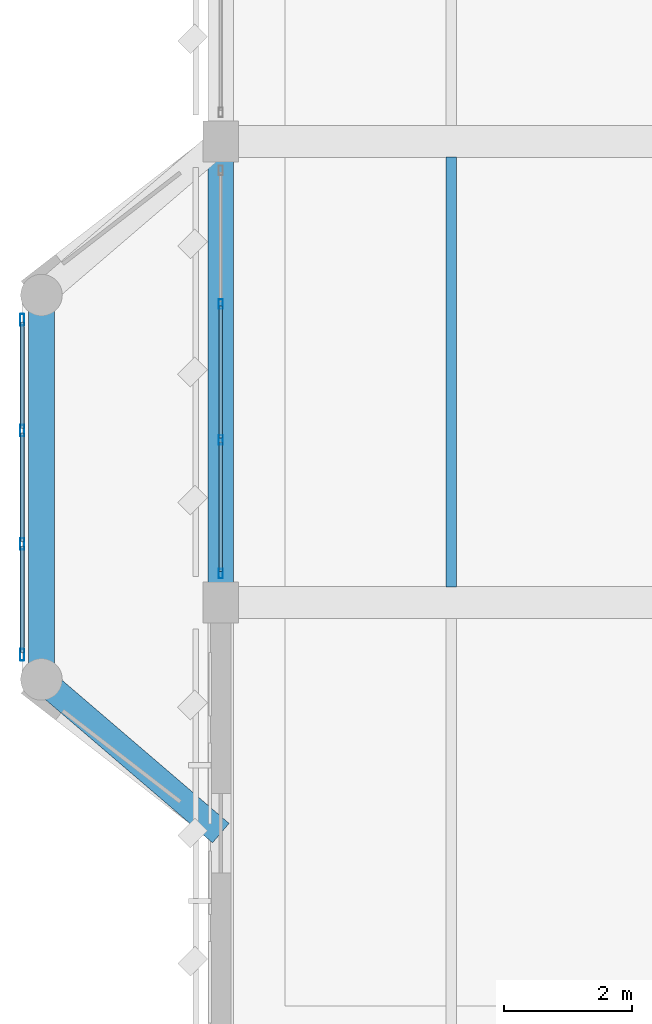
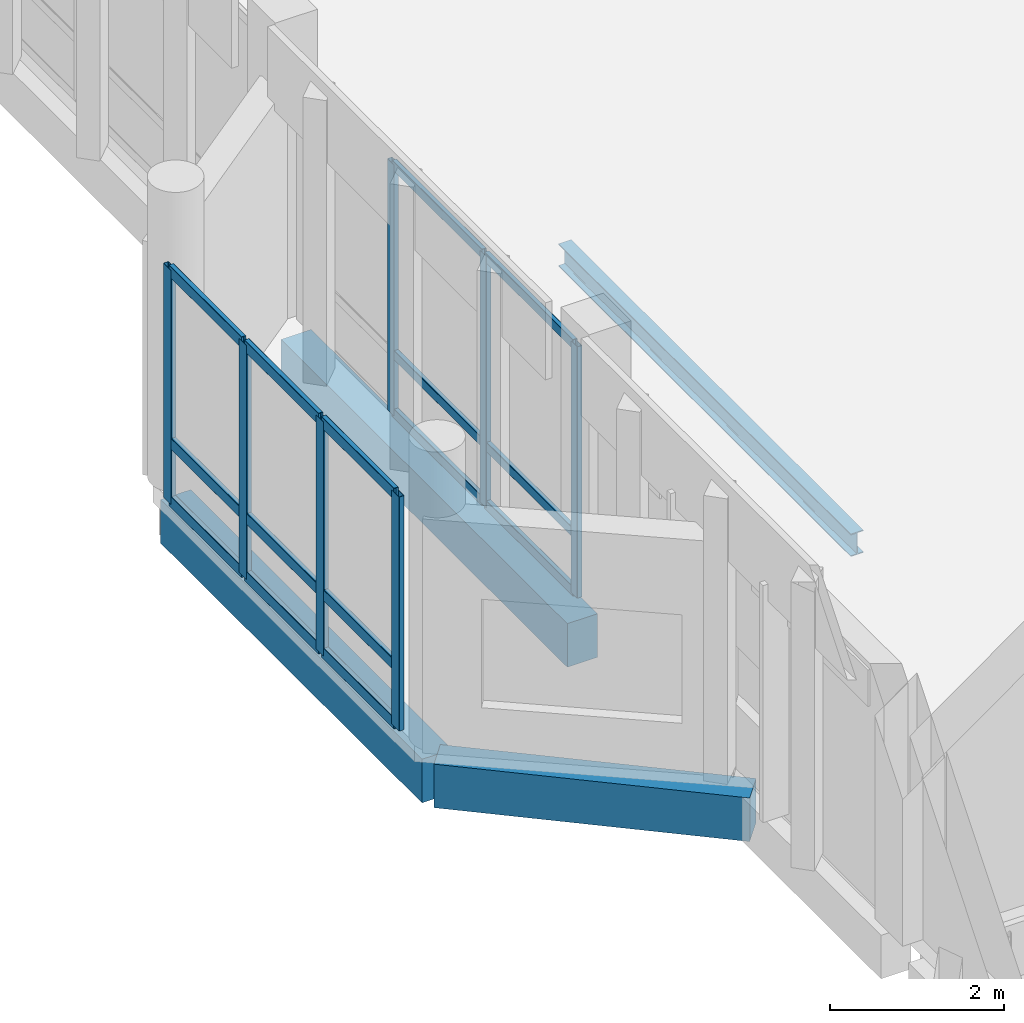
# One storey, part 33 of 158: 22 members, 4 beams, 2 elements without a shape of their own.
"""IFC4 building model written with IfcOpenShell, lengths in metres."""

from ifc_helpers import new_model, si_unit, direction, frame, origin, origin_2d, place, context, subcontext, project, spatial, rectangle, hollow_rectangle, i_section, extrude, material, material_profile, profile_set, type_object, element, aggregate, save


model = new_model("IFC4")

# Units and contexts
model_context = context("Model", 3, precision=1e-05, world=origin(), true_north=direction((0.0, 1.0)))
body_context = subcontext(model_context, "Body", "Model", "MODEL_VIEW")
ifc_project = project(units=[si_unit("LENGTHUNIT", "METRE"), si_unit("AREAUNIT", "SQUARE_METRE"), si_unit("VOLUMEUNIT", "CUBIC_METRE"), si_unit("PLANEANGLEUNIT", "RADIAN"), si_unit("MASSUNIT", "GRAM", prefix="KILO")], contexts=[model_context])

# Site, building, storey
site_placement = place(None, origin())
site = spatial("IfcSite", under=ifc_project, at=site_placement, CompositionType="ELEMENT")
building_placement = place(site_placement, origin())
building = spatial("IfcBuilding", under=site, at=building_placement, Name="Lusvemor Sports Hall", CompositionType="ELEMENT")
storey_placement = place(building_placement, frame((0.0, 0.0, 10.800048828125)))
storey = spatial("IfcBuildingStorey", under=building, at=storey_placement, Name="L02", CompositionType="ELEMENT", Elevation=10.800048828125)

# Curtain wall, members
ifc_material_1 = material(Name="Thermally broken bronze-anodized aluminium", Category="aluminium")
curtain_wall_type_1 = type_object("IfcCurtainWallType", Name="CW_FOYER_A", PredefinedType="NOTDEFINED", material=ifc_material_1)
curtain_wall_1_placement = place(storey_placement, origin())
curtain_wall_1 = element("IfcCurtainWall", 1, at=curtain_wall_1_placement, inside=storey, type_object=curtain_wall_type_1, Name="Curtain Wall CW-BOW-W2-L02-M", PredefinedType="NOTDEFINED")
ifc_material_2 = material(Name="Thermally broken bronze-anodized aluminium", Category="aluminium")
ifc_material_profile_1 = material_profile(ifc_material_2, hollow_rectangle(XDim=0.070068359375, YDim=0.179931640625, WallThickness=0.0048828125, InnerFilletRadius=0.0048828125, OuterFilletRadius=0.010009765625, at=origin_2d()), Name="CWMUL180x70x5")
ifc_profile_set_1 = profile_set([ifc_material_profile_1], Name="Thermally broken bronze-anodized aluminium")
member_type_1 = type_object("IfcMemberType", Name="CW_MUL_A", PredefinedType="MULLION", material=ifc_profile_set_1)
member_1_placement = place(storey_placement, frame((-3.10009765625, 81.985107421875, 0.0), z_axis=(0.0, 0.0, 1.0), x_axis=(-1.0, 0.0, 0.0)))
member_1 = element("IfcMember", 2, at=member_1_placement, type_object=member_type_1, Name="CW01 mullion 1", PredefinedType="MULLION", context=body_context, shape_type="SweptSolid", body=[
    extrude(hollow_rectangle(XDim=0.070068359375, YDim=0.179931640625, WallThickness=0.0048828125, InnerFilletRadius=0.0048828125, OuterFilletRadius=0.010009765625, at=origin_2d()), origin(), (0.0, 0.0, 1.0), 3.280029296875),
])
member_2_placement = place(storey_placement, frame((-3.10009765625, 83.716552734375, 0.0), z_axis=(0.0, 0.0, 1.0), x_axis=(-1.0, 0.0, 0.0)))
member_2 = element("IfcMember", 3, at=member_2_placement, type_object=member_type_1, Name="CW01 mullion 2", PredefinedType="MULLION", context=body_context, shape_type="SweptSolid", body=[
    extrude(hollow_rectangle(XDim=0.070068359375, YDim=0.179931640625, WallThickness=0.0048828125, InnerFilletRadius=0.0048828125, OuterFilletRadius=0.010009765625, at=origin_2d()), origin(), (0.0, 0.0, 1.0), 3.280029296875),
])
member_3_placement = place(storey_placement, frame((-3.10009765625, 85.4833984375, 0.0), z_axis=(0.0, 0.0, 1.0), x_axis=(-1.0, 0.0, 0.0)))
member_3 = element("IfcMember", 4, at=member_3_placement, type_object=member_type_1, Name="CW01 mullion 3", PredefinedType="MULLION", context=body_context, shape_type="SweptSolid", body=[
    extrude(hollow_rectangle(XDim=0.070068359375, YDim=0.179931640625, WallThickness=0.0048828125, InnerFilletRadius=0.0048828125, OuterFilletRadius=0.010009765625, at=origin_2d()), origin(), (0.0, 0.0, 1.0), 3.280029296875),
])
member_4_placement = place(storey_placement, frame((-3.10009765625, 87.215087890625, 0.0), z_axis=(0.0, 0.0, 1.0), x_axis=(-1.0, 0.0, 0.0)))
member_4 = element("IfcMember", 5, at=member_4_placement, type_object=member_type_1, Name="CW01 mullion 4", PredefinedType="MULLION", context=body_context, shape_type="SweptSolid", body=[
    extrude(hollow_rectangle(XDim=0.070068359375, YDim=0.179931640625, WallThickness=0.0048828125, InnerFilletRadius=0.0048828125, OuterFilletRadius=0.010009765625, at=origin_2d()), origin(), (0.0, 0.0, 1.0), 3.280029296875),
])

ifc_material_3 = material(Name="Thermally broken bronze-anodized aluminium", Category="aluminium")
curtain_wall_type_2 = type_object("IfcCurtainWallType", Name="CW_WING_B", PredefinedType="NOTDEFINED", material=ifc_material_3)
curtain_wall_2_placement = place(storey_placement, origin())
curtain_wall_2 = element("IfcCurtainWall", 6, at=curtain_wall_2_placement, inside=storey, type_object=curtain_wall_type_2, Name="Curtain Wall CW-L02-W-0-5", PredefinedType="NOTDEFINED")
ifc_material_4 = material(Name="Thermally broken bronze-anodized aluminium", Category="aluminium")
ifc_material_profile_2 = material_profile(ifc_material_4, hollow_rectangle(XDim=0.06494140625, YDim=0.14990234375, WallThickness=0.00390625, InnerFilletRadius=0.00390625, OuterFilletRadius=0.008056640625, at=origin_2d()), Name="CWMUL150x65x4")
ifc_profile_set_2 = profile_set([ifc_material_profile_2], Name="Thermally broken bronze-anodized aluminium")
member_type_2 = type_object("IfcMemberType", Name="CW_MUL_B", PredefinedType="MULLION", material=ifc_profile_set_2)
member_5_placement = place(storey_placement, frame((0.0, 83.25244140625, 0.0), z_axis=(0.0, 0.0, 1.0), x_axis=(-1.0, 0.0, 0.0)))
member_5 = element("IfcMember", 7, at=member_5_placement, type_object=member_type_2, Name="CW02 mullion 1", PredefinedType="MULLION", context=body_context, shape_type="SweptSolid", body=[
    extrude(hollow_rectangle(XDim=0.06494140625, YDim=0.14990234375, WallThickness=0.00390625, InnerFilletRadius=0.00390625, OuterFilletRadius=0.008056640625, at=origin_2d()), origin(), (0.0, 0.0, 1.0), 3.52001953125),
])
member_6_placement = place(storey_placement, frame((0.0, 85.340087890625, 0.0), z_axis=(0.0, 0.0, 1.0), x_axis=(-1.0, 0.0, 0.0)))
member_6 = element("IfcMember", 8, at=member_6_placement, type_object=member_type_2, Name="CW02 mullion 2", PredefinedType="MULLION", context=body_context, shape_type="SweptSolid", body=[
    extrude(hollow_rectangle(XDim=0.06494140625, YDim=0.14990234375, WallThickness=0.00390625, InnerFilletRadius=0.00390625, OuterFilletRadius=0.008056640625, at=origin_2d()), origin(), (0.0, 0.0, 1.0), 3.52001953125),
])
member_7_placement = place(storey_placement, frame((0.0, 87.4599609375, 0.0), z_axis=(0.0, 0.0, 1.0), x_axis=(-1.0, 0.0, 0.0)))
member_7 = element("IfcMember", 9, at=member_7_placement, type_object=member_type_2, Name="CW02 mullion 3", PredefinedType="MULLION", context=body_context, shape_type="SweptSolid", body=[
    extrude(hollow_rectangle(XDim=0.06494140625, YDim=0.14990234375, WallThickness=0.00390625, InnerFilletRadius=0.00390625, OuterFilletRadius=0.008056640625, at=origin_2d()), origin(), (0.0, 0.0, 1.0), 3.52001953125),
])

# Member
ifc_material_5 = material(Name="Thermally broken bronze-anodized aluminium", Category="aluminium")
ifc_material_profile_3 = material_profile(ifc_material_5, hollow_rectangle(XDim=0.06494140625, YDim=0.159912109375, WallThickness=0.00390625, InnerFilletRadius=0.00390625, OuterFilletRadius=0.008056640625, at=origin_2d()), Name="CWTRN160x65x4")
ifc_profile_set_3 = profile_set([ifc_material_profile_3], Name="Thermally broken bronze-anodized aluminium")
member_type_3 = type_object("IfcMemberType", Name="CW_TRN_A", PredefinedType="USERDEFINED", material=ifc_profile_set_3)
member_8_placement = place(storey_placement, frame((-3.10009765625, 82.02001953125, 0.032470703125), z_axis=(0.0, 1.0, 0.0), x_axis=(-1.0, 0.0, 0.0)))
member_8 = element("IfcMember", 10, at=member_8_placement, type_object=member_type_3, Name="CW01 transom 1.1", ObjectType="TRANSOM", PredefinedType="USERDEFINED", context=body_context, shape_type="SweptSolid", body=[
    extrude(hollow_rectangle(XDim=0.06494140625, YDim=0.159912109375, WallThickness=0.00390625, InnerFilletRadius=0.00390625, OuterFilletRadius=0.008056640625, at=origin_2d()), origin(), (0.0, 0.0, 1.0), 1.66162109375),
])

member_9_placement = place(storey_placement, frame((-3.10009765625, 82.02001953125, 0.849853515625), z_axis=(0.0, 1.0, 0.0), x_axis=(-1.0, 0.0, 0.0)))
member_9 = element("IfcMember", 11, at=member_9_placement, type_object=member_type_3, Name="CW01 transom 1.2", ObjectType="TRANSOM", PredefinedType="USERDEFINED", context=body_context, shape_type="SweptSolid", body=[
    extrude(hollow_rectangle(XDim=0.06494140625, YDim=0.159912109375, WallThickness=0.00390625, InnerFilletRadius=0.00390625, OuterFilletRadius=0.008056640625, at=origin_2d()), origin(), (0.0, 0.0, 1.0), 1.66162109375),
])

member_10_placement = place(storey_placement, frame((-3.10009765625, 82.02001953125, 3.24755859375), z_axis=(0.0, 1.0, 0.0), x_axis=(-1.0, 0.0, 0.0)))
member_10 = element("IfcMember", 12, at=member_10_placement, type_object=member_type_3, Name="CW01 transom 1.3", ObjectType="TRANSOM", PredefinedType="USERDEFINED", context=body_context, shape_type="SweptSolid", body=[
    extrude(hollow_rectangle(XDim=0.06494140625, YDim=0.159912109375, WallThickness=0.00390625, InnerFilletRadius=0.00390625, OuterFilletRadius=0.008056640625, at=origin_2d()), origin(), (0.0, 0.0, 1.0), 1.66162109375),
])

member_11_placement = place(storey_placement, frame((-3.10009765625, 83.751708984375, 0.032470703125), z_axis=(0.0, 1.0, 0.0), x_axis=(-1.0, 0.0, 0.0)))
member_11 = element("IfcMember", 13, at=member_11_placement, type_object=member_type_3, Name="CW01 transom 2.1", ObjectType="TRANSOM", PredefinedType="USERDEFINED", context=body_context, shape_type="SweptSolid", body=[
    extrude(hollow_rectangle(XDim=0.06494140625, YDim=0.159912109375, WallThickness=0.00390625, InnerFilletRadius=0.00390625, OuterFilletRadius=0.008056640625, at=origin_2d()), origin(), (0.0, 0.0, 1.0), 1.696533203125),
])

member_12_placement = place(storey_placement, frame((-3.10009765625, 83.751708984375, 0.849853515625), z_axis=(0.0, 1.0, 0.0), x_axis=(-1.0, 0.0, 0.0)))
member_12 = element("IfcMember", 14, at=member_12_placement, type_object=member_type_3, Name="CW01 transom 2.2", ObjectType="TRANSOM", PredefinedType="USERDEFINED", context=body_context, shape_type="SweptSolid", body=[
    extrude(hollow_rectangle(XDim=0.06494140625, YDim=0.159912109375, WallThickness=0.00390625, InnerFilletRadius=0.00390625, OuterFilletRadius=0.008056640625, at=origin_2d()), origin(), (0.0, 0.0, 1.0), 1.696533203125),
])

member_13_placement = place(storey_placement, frame((-3.10009765625, 83.751708984375, 3.24755859375), z_axis=(0.0, 1.0, 0.0), x_axis=(-1.0, 0.0, 0.0)))
member_13 = element("IfcMember", 15, at=member_13_placement, type_object=member_type_3, Name="CW01 transom 2.3", ObjectType="TRANSOM", PredefinedType="USERDEFINED", context=body_context, shape_type="SweptSolid", body=[
    extrude(hollow_rectangle(XDim=0.06494140625, YDim=0.159912109375, WallThickness=0.00390625, InnerFilletRadius=0.00390625, OuterFilletRadius=0.008056640625, at=origin_2d()), origin(), (0.0, 0.0, 1.0), 1.696533203125),
])

member_14_placement = place(storey_placement, frame((-3.10009765625, 85.518310546875, 0.032470703125), z_axis=(0.0, 1.0, 0.0), x_axis=(-1.0, 0.0, 0.0)))
member_14 = element("IfcMember", 16, at=member_14_placement, type_object=member_type_3, Name="CW01 transom 3.1", ObjectType="TRANSOM", PredefinedType="USERDEFINED", context=body_context, shape_type="SweptSolid", body=[
    extrude(hollow_rectangle(XDim=0.06494140625, YDim=0.159912109375, WallThickness=0.00390625, InnerFilletRadius=0.00390625, OuterFilletRadius=0.008056640625, at=origin_2d()), origin(), (0.0, 0.0, 1.0), 1.66162109375),
])

member_15_placement = place(storey_placement, frame((-3.10009765625, 85.518310546875, 0.849853515625), z_axis=(0.0, 1.0, 0.0), x_axis=(-1.0, 0.0, 0.0)))
member_15 = element("IfcMember", 17, at=member_15_placement, type_object=member_type_3, Name="CW01 transom 3.2", ObjectType="TRANSOM", PredefinedType="USERDEFINED", context=body_context, shape_type="SweptSolid", body=[
    extrude(hollow_rectangle(XDim=0.06494140625, YDim=0.159912109375, WallThickness=0.00390625, InnerFilletRadius=0.00390625, OuterFilletRadius=0.008056640625, at=origin_2d()), origin(), (0.0, 0.0, 1.0), 1.66162109375),
])

member_16_placement = place(storey_placement, frame((-3.10009765625, 85.518310546875, 3.24755859375), z_axis=(0.0, 1.0, 0.0), x_axis=(-1.0, 0.0, 0.0)))
member_16 = element("IfcMember", 18, at=member_16_placement, type_object=member_type_3, Name="CW01 transom 3.3", ObjectType="TRANSOM", PredefinedType="USERDEFINED", context=body_context, shape_type="SweptSolid", body=[
    extrude(hollow_rectangle(XDim=0.06494140625, YDim=0.159912109375, WallThickness=0.00390625, InnerFilletRadius=0.00390625, OuterFilletRadius=0.008056640625, at=origin_2d()), origin(), (0.0, 0.0, 1.0), 1.66162109375),
])

aggregate(curtain_wall_1, [member_1, member_2, member_3, member_4, member_8, member_9, member_10, member_11, member_12, member_13, member_14, member_15, member_16])

ifc_material_6 = material(Name="Thermally broken bronze-anodized aluminium", Category="aluminium")
ifc_material_profile_4 = material_profile(ifc_material_6, hollow_rectangle(XDim=0.06005859375, YDim=0.135009765625, WallThickness=0.00390625, InnerFilletRadius=0.00390625, OuterFilletRadius=0.008056640625, at=origin_2d()), Name="CWTRN135x60x4")
ifc_profile_set_4 = profile_set([ifc_material_profile_4], Name="Thermally broken bronze-anodized aluminium")
member_type_4 = type_object("IfcMemberType", Name="CW_TRN_B", PredefinedType="USERDEFINED", material=ifc_profile_set_4)
member_17_placement = place(storey_placement, frame((0.0, 83.284912109375, 0.030029296875), z_axis=(0.0, 1.0, 0.0), x_axis=(-1.0, 0.0, 0.0)))
member_17 = element("IfcMember", 19, at=member_17_placement, type_object=member_type_4, Name="CW02 transom 1.1", ObjectType="TRANSOM", PredefinedType="USERDEFINED", context=body_context, shape_type="SweptSolid", body=[
    extrude(hollow_rectangle(XDim=0.06005859375, YDim=0.135009765625, WallThickness=0.00390625, InnerFilletRadius=0.00390625, OuterFilletRadius=0.008056640625, at=origin_2d()), origin(), (0.0, 0.0, 1.0), 2.022705078125),
])

member_18_placement = place(storey_placement, frame((0.0, 83.284912109375, 0.849853515625), z_axis=(0.0, 1.0, 0.0), x_axis=(-1.0, 0.0, 0.0)))
member_18 = element("IfcMember", 20, at=member_18_placement, type_object=member_type_4, Name="CW02 transom 1.2", ObjectType="TRANSOM", PredefinedType="USERDEFINED", context=body_context, shape_type="SweptSolid", body=[
    extrude(hollow_rectangle(XDim=0.06005859375, YDim=0.135009765625, WallThickness=0.00390625, InnerFilletRadius=0.00390625, OuterFilletRadius=0.008056640625, at=origin_2d()), origin(), (0.0, 0.0, 1.0), 2.022705078125),
])

member_19_placement = place(storey_placement, frame((0.0, 83.284912109375, 3.489990234375), z_axis=(0.0, 1.0, 0.0), x_axis=(-1.0, 0.0, 0.0)))
member_19 = element("IfcMember", 21, at=member_19_placement, type_object=member_type_4, Name="CW02 transom 1.3", ObjectType="TRANSOM", PredefinedType="USERDEFINED", context=body_context, shape_type="SweptSolid", body=[
    extrude(hollow_rectangle(XDim=0.06005859375, YDim=0.135009765625, WallThickness=0.00390625, InnerFilletRadius=0.00390625, OuterFilletRadius=0.008056640625, at=origin_2d()), origin(), (0.0, 0.0, 1.0), 2.022705078125),
])

member_20_placement = place(storey_placement, frame((0.0, 85.37255859375, 0.030029296875), z_axis=(0.0, 1.0, 0.0), x_axis=(-1.0, 0.0, 0.0)))
member_20 = element("IfcMember", 22, at=member_20_placement, type_object=member_type_4, Name="CW02 transom 2.1", ObjectType="TRANSOM", PredefinedType="USERDEFINED", context=body_context, shape_type="SweptSolid", body=[
    extrude(hollow_rectangle(XDim=0.06005859375, YDim=0.135009765625, WallThickness=0.00390625, InnerFilletRadius=0.00390625, OuterFilletRadius=0.008056640625, at=origin_2d()), origin(), (0.0, 0.0, 1.0), 2.054931640625),
])

member_21_placement = place(storey_placement, frame((0.0, 85.37255859375, 0.849853515625), z_axis=(0.0, 1.0, 0.0), x_axis=(-1.0, 0.0, 0.0)))
member_21 = element("IfcMember", 23, at=member_21_placement, type_object=member_type_4, Name="CW02 transom 2.2", ObjectType="TRANSOM", PredefinedType="USERDEFINED", context=body_context, shape_type="SweptSolid", body=[
    extrude(hollow_rectangle(XDim=0.06005859375, YDim=0.135009765625, WallThickness=0.00390625, InnerFilletRadius=0.00390625, OuterFilletRadius=0.008056640625, at=origin_2d()), origin(), (0.0, 0.0, 1.0), 2.054931640625),
])

member_22_placement = place(storey_placement, frame((0.0, 85.37255859375, 3.489990234375), z_axis=(0.0, 1.0, 0.0), x_axis=(-1.0, 0.0, 0.0)))
member_22 = element("IfcMember", 24, at=member_22_placement, type_object=member_type_4, Name="CW02 transom 2.3", ObjectType="TRANSOM", PredefinedType="USERDEFINED", context=body_context, shape_type="SweptSolid", body=[
    extrude(hollow_rectangle(XDim=0.06005859375, YDim=0.135009765625, WallThickness=0.00390625, InnerFilletRadius=0.00390625, OuterFilletRadius=0.008056640625, at=origin_2d()), origin(), (0.0, 0.0, 1.0), 2.054931640625),
])

aggregate(curtain_wall_2, [member_5, member_6, member_7, member_17, member_18, member_19, member_20, member_21, member_22])

# Beams
ifc_material_7 = material(Name="Steel S355", Category="steel")
ifc_material_profile_5 = material_profile(ifc_material_7, i_section(OverallWidth=0.1669921875, OverallDepth=0.31689453125, WebThickness=0.007568359375, FlangeThickness=0.01318359375, FilletRadius=0.014892578125, at=origin_2d()), Name="W310x52.0")
ifc_profile_set_5 = profile_set([ifc_material_profile_5], Name="Steel S355")
beam_type_1 = type_object("IfcBeamType", Name="JOIST_ST_310M", PredefinedType="JOIST", material=ifc_profile_set_5)
beam_1_placement = place(storey_placement, frame((3.60009765625, 83.0458984375, -0.422607421875), z_axis=(0.0, 1.0, 0.0), x_axis=(-1.0, 0.0, 0.0)))
element("IfcBeam", 25, at=beam_1_placement, inside=storey, type_object=beam_type_1, Name="Secondary Joist L02 1-2/L-M #1", PredefinedType="JOIST", context=body_context, shape_type="SweptSolid", body=[
    extrude(i_section(OverallWidth=0.1669921875, OverallDepth=0.31689453125, WebThickness=0.007568359375, FlangeThickness=0.01318359375, FilletRadius=0.014892578125, at=origin_2d()), origin(), (0.0, 0.0, 1.0), 6.7080078125),
])
ifc_material_8 = material(Name="Concrete C40/50", Category="concrete")
ifc_material_profile_6 = material_profile(ifc_material_8, rectangle(XDim=0.39990234375, YDim=0.610107421875, at=origin_2d()), Name="RC400x610")
ifc_profile_set_6 = profile_set([ifc_material_profile_6], Name="Concrete C40/50")
beam_type_2 = type_object("IfcBeamType", Name="SPAND_EXT_650", PredefinedType="SPANDREL", material=ifc_profile_set_6)
beam_2_placement = place(storey_placement, frame((0.0, 83.115966796875, -0.56494140625), z_axis=(0.0, 1.0, 0.0), x_axis=(-1.0, 0.0, 0.0)))
element("IfcBeam", 26, at=beam_2_placement, inside=storey, type_object=beam_type_2, Name="Beam L02 1:L-M", PredefinedType="SPANDREL", context=body_context, shape_type="SweptSolid", body=[
    extrude(rectangle(XDim=0.39990234375, YDim=0.610107421875, at=origin_2d()), origin(), (0.0, 0.0, 1.0), 6.568115234375),
])
beam_3_placement = place(storey_placement, frame((0.0, 79.199951171875, -0.56494140625), z_axis=(-0.759242583462, 0.650807728487, 0.0), x_axis=(-0.650807728487, -0.759242583462, 0.0)))
element("IfcBeam", 27, at=beam_3_placement, inside=storey, type_object=beam_type_2, Name="Bow Pavilion Edge Beam BOW-W2 L02-1", PredefinedType="SPANDREL", context=body_context, shape_type="SweptSolid", body=[
    extrude(rectangle(XDim=0.39990234375, YDim=0.610107421875, at=origin_2d()), origin(), (0.0, 0.0, 1.0), 3.68798828125),
])
beam_4_placement = place(storey_placement, frame((-2.800048828125, 81.60009765625, -0.56494140625), z_axis=(0.0, 1.0, 0.0), x_axis=(-1.0, 0.0, 0.0)))
element("IfcBeam", 28, at=beam_4_placement, inside=storey, type_object=beam_type_2, Name="Bow Pavilion Edge Beam BOW-W2 L02-2", PredefinedType="SPANDREL", context=body_context, shape_type="SweptSolid", body=[
    extrude(rectangle(XDim=0.39990234375, YDim=0.610107421875, at=origin_2d()), origin(), (0.0, 0.0, 1.0), 6.0),
])

save(model, "model.ifc")
